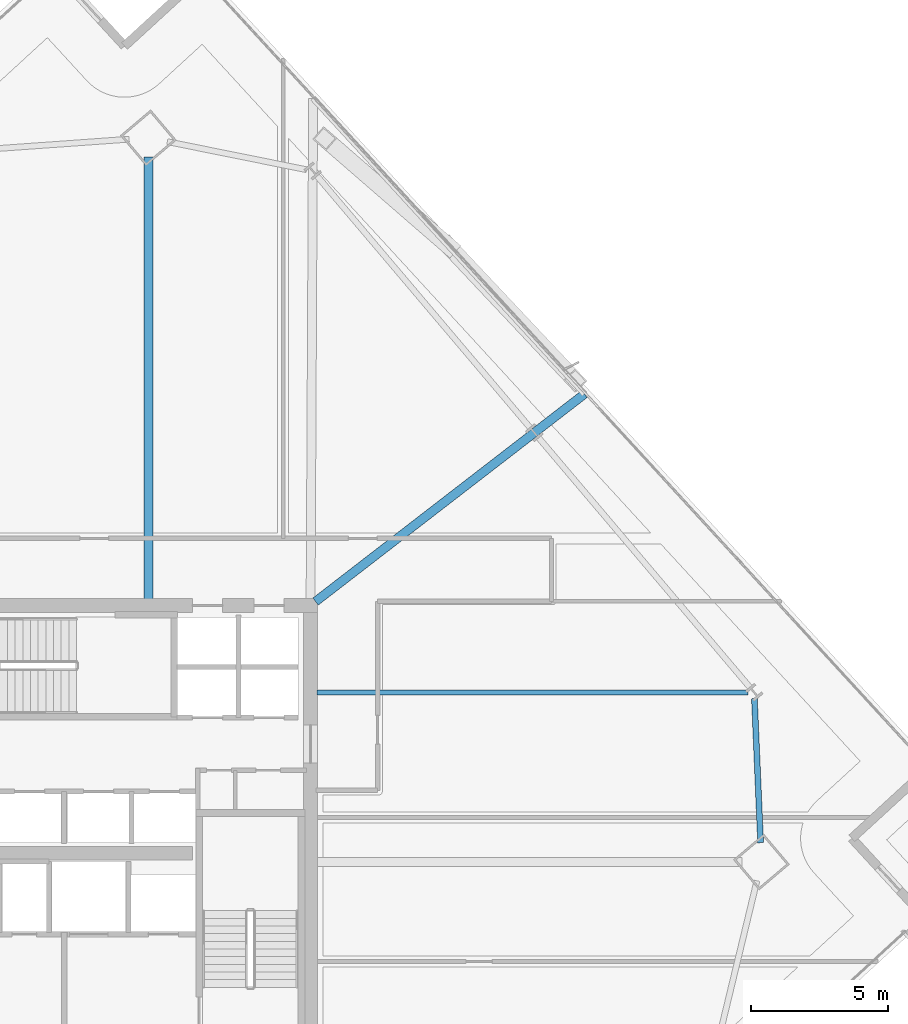
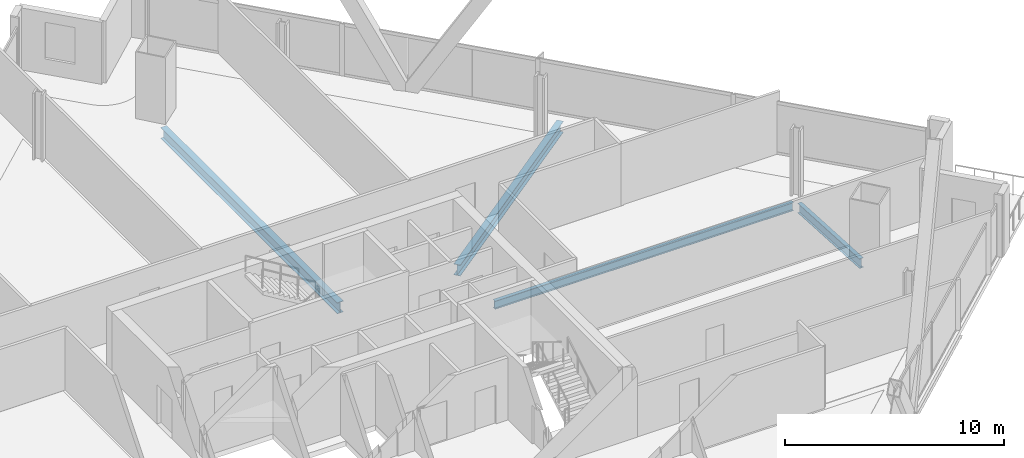
# One storey, part 19 of 32: 4 beams.
"""IFC4 building model written with IfcOpenShell, lengths in metres."""

from ifc_helpers import new_model, si_unit, direction, frame, origin, origin_2d, place, context, subcontext, project, spatial, i_section, extrude, material, material_profile, profile_set, type_object, element, save


model = new_model("IFC4")

# Units and contexts
model_context = context("Model", 3, precision=1e-05, world=origin(), true_north=direction((0.0, 1.0)))
body_context = subcontext(model_context, "Body", "Model", "MODEL_VIEW")
ifc_project = project(units=[si_unit("LENGTHUNIT", "METRE"), si_unit("AREAUNIT", "SQUARE_METRE"), si_unit("VOLUMEUNIT", "CUBIC_METRE"), si_unit("PLANEANGLEUNIT", "RADIAN"), si_unit("MASSUNIT", "GRAM", prefix="KILO")], contexts=[model_context])

# Site, building, storey
site_placement = place(None, origin())
site = spatial("IfcSite", under=ifc_project, at=site_placement, CompositionType="ELEMENT")
building_placement = place(site_placement, origin())
building = spatial("IfcBuilding", under=site, at=building_placement, Name="Haldenkirk Collegiate Tower", CompositionType="ELEMENT")
storey_placement = place(building_placement, frame((0.0, 0.0, 170.699951171875)))
storey = spatial("IfcBuildingStorey", under=building, at=storey_placement, Name="L42", CompositionType="ELEMENT", Elevation=170.699951171875)

# Beams
ifc_material = material(Name="Steel ASTM A992 Grade 50", Category="steel")
ifc_material_profile_1 = material_profile(ifc_material, i_section(OverallWidth=0.324951171875, OverallDepth=0.615966796875, WebThickness=0.013916015625, FlangeThickness=0.021484375, at=origin_2d()), Name="W24X117")
ifc_profile_set_1 = profile_set([ifc_material_profile_1], Name="Steel ASTM A992 Grade 50")
beam_type_1 = type_object("IfcBeamType", Name="BM-GIRDER-W24X117", PredefinedType="BEAM", material=ifc_profile_set_1)
beam_1_placement = place(storey_placement, frame((39.076904296875, 50.3701171875, -0.597900390625), z_axis=(0.0, -1.0, 0.0), x_axis=(1.0, 0.0, 0.0)))
element("IfcBeam", 1, at=beam_1_placement, inside=storey, type_object=beam_type_1, Name="L42 primary floor girder 03", PredefinedType="BEAM", context=body_context, shape_type="SweptSolid", body=[
    extrude(i_section(OverallWidth=0.324951171875, OverallDepth=0.615966796875, WebThickness=0.013916015625, FlangeThickness=0.021484375, at=origin_2d()), origin(), (0.0, 0.0, 1.0), 16.14013671875),
])
beam_2_placement = place(storey_placement, frame((55.002685546875, 41.720947265625, -0.597900390625), z_axis=(-0.791598670831, -0.611041360579, 0.0), x_axis=(0.611041360579, -0.791598670831, 0.0)))
element("IfcBeam", 2, at=beam_2_placement, inside=storey, type_object=beam_type_1, Name="L42 primary floor girder 09", PredefinedType="BEAM", context=body_context, shape_type="SweptSolid", body=[
    extrude(i_section(OverallWidth=0.324951171875, OverallDepth=0.615966796875, WebThickness=0.013916015625, FlangeThickness=0.021484375, at=origin_2d()), origin(), (0.0, 0.0, 1.0), 12.406005859375),
])
ifc_material_profile_2 = material_profile(ifc_material, i_section(OverallWidth=0.18994140625, OverallDepth=0.45703125, WebThickness=0.009033203125, FlangeThickness=0.014404296875, at=origin_2d()), Name="W18X50")
ifc_profile_set_2 = profile_set([ifc_material_profile_2], Name="Steel ASTM A992 Grade 50")
beam_type_2 = type_object("IfcBeamType", Name="BM-JOIST-W18X50", PredefinedType="JOIST", material=ifc_profile_set_2)
beam_3_placement = place(storey_placement, frame((60.970458984375, 30.82421875, -0.5185546875), z_axis=(-1.0, 0.0, 0.0), x_axis=(0.0, -1.0, 0.0)))
element("IfcBeam", 3, at=beam_3_placement, inside=storey, type_object=beam_type_2, Name="L42 composite floor joist 08", PredefinedType="JOIST", context=body_context, shape_type="SweptSolid", body=[
    extrude(i_section(OverallWidth=0.18994140625, OverallDepth=0.45703125, WebThickness=0.009033203125, FlangeThickness=0.014404296875, at=origin_2d()), origin(), (0.0, 0.0, 1.0), 15.740478515625),
])
ifc_material_profile_3 = material_profile(ifc_material, i_section(OverallWidth=0.2119140625, OverallDepth=0.5439453125, WebThickness=0.01318359375, FlangeThickness=0.021240234375, at=origin_2d()), Name="W21X83")
ifc_profile_set_3 = profile_set([ifc_material_profile_3], Name="Steel ASTM A992 Grade 50")
beam_type_3 = type_object("IfcBeamType", Name="BM-SPANDREL-W21X83", PredefinedType="SPANDREL", material=ifc_profile_set_3)
beam_4_placement = place(storey_placement, frame((61.434814453125, 25.33349609375, -0.56201171875), z_axis=(-0.042833703015, 0.999082215779, 0.0), x_axis=(-0.999082215779, -0.042833703015, 0.0)))
element("IfcBeam", 4, at=beam_4_placement, inside=storey, type_object=beam_type_3, Name="L42 perimeter spandrel beam 05", PredefinedType="SPANDREL", context=body_context, shape_type="SweptSolid", body=[
    extrude(i_section(OverallWidth=0.2119140625, OverallDepth=0.5439453125, WebThickness=0.01318359375, FlangeThickness=0.021240234375, at=origin_2d()), origin(), (0.0, 0.0, 1.0), 5.2666015625),
])

save(model, "model.ifc")
